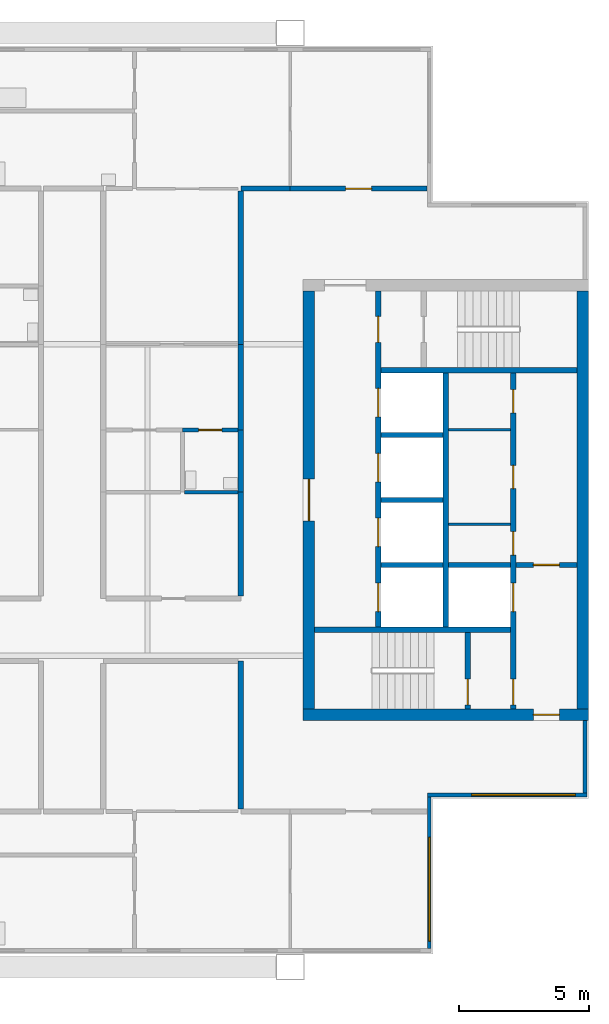
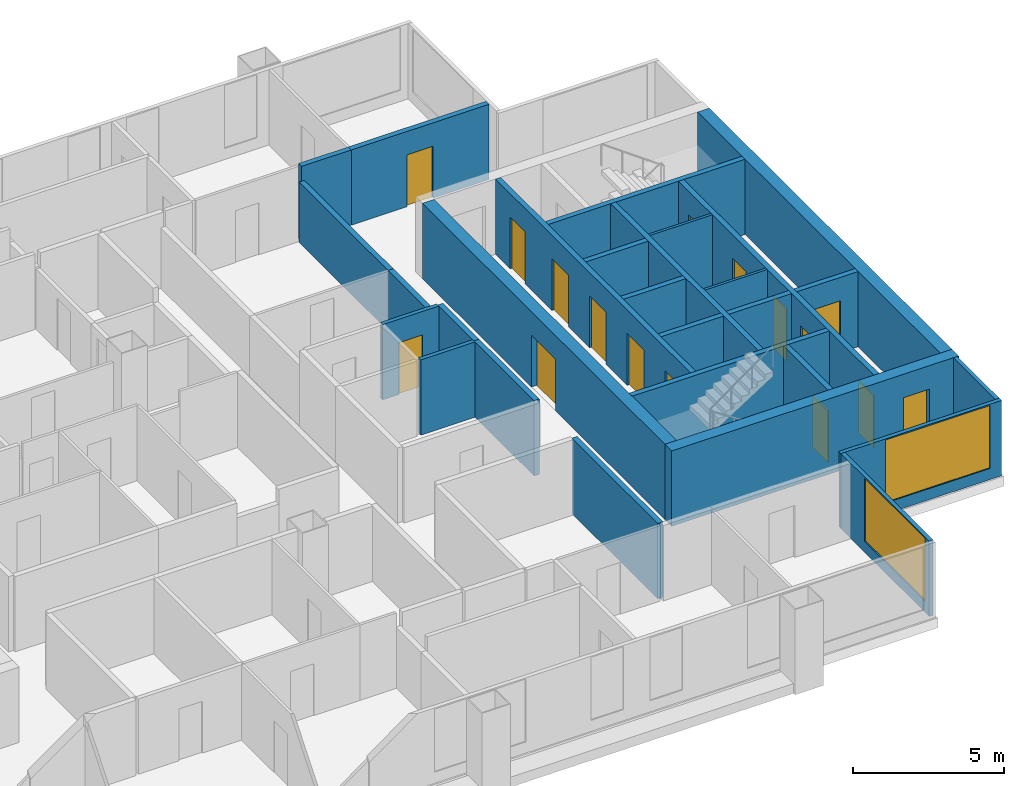
# One storey, part 5 of 9: 28 walls, 16 doors, 2 windows, 18 openings.
"""IFC4 building model written with IfcOpenShell, lengths in metres."""

from ifc_helpers import new_model, si_unit, direction, frame, frame_2d, origin, place, context, subcontext, project, spatial, rectangle, extrude, material, layer, layer_set, type_object, element, fill, save


model = new_model("IFC4")

# Units and contexts
model_context = context("Model", 3, precision=1e-05, world=origin(), true_north=direction((0.0, 1.0)))
body_context = subcontext(model_context, "Body", "Model", "MODEL_VIEW")
ifc_project = project(units=[si_unit("LENGTHUNIT", "METRE"), si_unit("AREAUNIT", "SQUARE_METRE"), si_unit("VOLUMEUNIT", "CUBIC_METRE"), si_unit("PLANEANGLEUNIT", "RADIAN"), si_unit("MASSUNIT", "GRAM", prefix="KILO")], contexts=[model_context])

# Site, building, storey
site_placement = place(None, origin())
site = spatial("IfcSite", under=ifc_project, at=site_placement, CompositionType="ELEMENT")
building_placement = place(site_placement, origin())
building = spatial("IfcBuilding", under=site, at=building_placement, Name="Kitamizu Gate Tower and Museum", CompositionType="ELEMENT")
storey_placement = place(building_placement, frame((0.0, 0.0, 221.39990234375)))
storey = spatial("IfcBuildingStorey", under=building, at=storey_placement, Name="L59", CompositionType="ELEMENT", Elevation=221.39990234375)

# Wall, opening, door
ifc_material_1 = material(Name="Concrete Fc42", Category="concrete")
ifc_layer_1 = layer(ifc_material_1, 0.449951171875)
ifc_layer_set_1 = layer_set([ifc_layer_1], Name="Concrete Fc42")
wall_type_1 = type_object("IfcWallType", Name="Core wall 450", PredefinedType="SHEAR", material=ifc_layer_set_1)
wall_1_placement = place(storey_placement, frame((59.5, 21.72509765625, 0.0), z_axis=(0.0, 0.0, 1.0), x_axis=(-1.0, 0.0, 0.0)))
wall_1 = element("IfcWall", 1, at=wall_1_placement, inside=storey, type_object=wall_type_1, Name="Core wall ES", PredefinedType="SHEAR", context=body_context, shape_type="SweptSolid", body=[
    extrude(rectangle(XDim=11.0, YDim=0.449951171875, at=frame_2d((5.5, 0.0))), origin(), (0.0, 0.0, 1.0), 3.050048828125),
])
opening_1_placement = place(wall_1_placement, frame((1.125, 0.0, 0.0)))
opening_1 = element("IfcOpeningElement", 2, at=opening_1_placement, cuts=wall_1, Name="Opening L59-050", PredefinedType="OPENING", context=body_context, shape_type="SweptSolid", body=[
    extrude(rectangle(XDim=1.0, YDim=2.10009765625, at=frame_2d((0.5, 1.050048828125))), frame((0.0, 0.23486328125, 0.0), z_axis=(0.0, -1.0, 0.0), x_axis=(1.0, 0.0, 0.0)), (0.0, 0.0, 1.0), 0.469970703125),
])
ifc_material_2 = material(Name="Hollow metal door set")
door_type_1 = type_object("IfcDoorType", Name="Fire door 1000", OperationType="NOTDEFINED", PredefinedType="DOOR", material=ifc_material_2)
door_1_placement = place(opening_1_placement, frame((1.0, 0.0, 0.0), x_axis=(-1.0, 0.0, 0.0)))
door_1 = element("IfcDoor", 3, at=door_1_placement, inside=storey, type_object=door_type_1, Name="Fire-fighting lobby door L59-050", OperationType="SINGLE_SWING_LEFT", OverallHeight=2.10009765625, OverallWidth=1.0, PredefinedType="DOOR", context=body_context, shape_type="SweptSolid", body=[
    extrude(rectangle(XDim=1.0, YDim=2.10009765625, at=frame_2d((0.5, 1.050048828125))), frame((0.0, 0.02490234375, 0.0), z_axis=(0.0, -1.0, 0.0), x_axis=(1.0, 0.0, 0.0)), (0.0, 0.0, 1.0), 0.050048828125),
])
fill(opening_1, door_1)

# Wall
wall_2_placement = place(storey_placement, frame((59.27490234375, 21.949951171875, 0.0), z_axis=(0.0, 0.0, 1.0), x_axis=(0.0, 1.0, 0.0)))
element("IfcWall", 4, at=wall_2_placement, inside=storey, type_object=wall_type_1, Name="Core wall EOUT", PredefinedType="SHEAR", context=body_context, shape_type="SweptSolid", body=[
    extrude(rectangle(XDim=16.10009765625, YDim=0.449951171875, at=frame_2d((8.050048828125, 0.0))), origin(), (0.0, 0.0, 1.0), 3.050048828125),
])

# Wall, opening, door
wall_3_placement = place(storey_placement, frame((48.72509765625, 21.949951171875, 0.0), z_axis=(0.0, 0.0, 1.0), x_axis=(0.0, 1.0, 0.0)))
wall_3 = element("IfcWall", 5, at=wall_3_placement, inside=storey, type_object=wall_type_1, Name="Core wall EARC", PredefinedType="SHEAR", context=body_context, shape_type="SweptSolid", body=[
    extrude(rectangle(XDim=16.10009765625, YDim=0.449951171875, at=frame_2d((8.050048828125, 0.0))), origin(), (0.0, 0.0, 1.0), 3.050048828125),
])
opening_2_placement = place(wall_3_placement, frame((7.25, 0.0, 0.0)))
opening_2 = element("IfcOpeningElement", 6, at=opening_2_placement, cuts=wall_3, Name="Opening L59-052", PredefinedType="OPENING", context=body_context, shape_type="SweptSolid", body=[
    extrude(rectangle(XDim=1.60009765625, YDim=2.10009765625, at=frame_2d((0.800048828125, 1.050048828125))), frame((0.0, 0.23486328125, 0.0), z_axis=(0.0, -1.0, 0.0), x_axis=(1.0, 0.0, 0.0)), (0.0, 0.0, 1.0), 0.469970703125),
])
ifc_material_3 = material(Name="Timber door set", Category="wood")
door_type_2 = type_object("IfcDoorType", Name="Entrance door 1600", OperationType="DOUBLE_DOOR_SINGLE_SWING", PredefinedType="DOOR", material=ifc_material_3)
door_2_placement = place(opening_2_placement, origin())
door_2 = element("IfcDoor", 7, at=door_2_placement, inside=storey, type_object=door_type_2, Name="Lobby door L59-052", OperationType="DOUBLE_DOOR_SINGLE_SWING", OverallHeight=2.10009765625, OverallWidth=1.60009765625, PredefinedType="DOOR", context=body_context, shape_type="SweptSolid", body=[
    extrude(rectangle(XDim=1.60009765625, YDim=2.10009765625, at=frame_2d((0.800048828125, 1.050048828125))), frame((0.0, 0.02490234375, 0.0), z_axis=(0.0, -1.0, 0.0), x_axis=(1.0, 0.0, 0.0)), (0.0, 0.0, 1.0), 0.050048828125),
])
fill(opening_2, door_2)

# Walls
ifc_material_4 = material(Name="Gypsum board on galvanised stud")
ifc_layer_2 = layer(ifc_material_4, 0.10009765625)
ifc_layer_set_2 = layer_set([ifc_layer_2], Name="Gypsum board on galvanised stud")
wall_type_2 = type_object("IfcWallType", Name="Partition 100", PredefinedType="PARTITIONING", material=ifc_layer_set_2)
for number, where, z_axis, x_axis, name in (
    (8, (56.5, 29.06005859375, 0.0), (0.0, 0.0, 1.0), (-1.0, 0.0, 0.0), "Partition EPF1"),
    (9, (56.5, 32.7099609375, 0.0), (0.0, 0.0, 1.0), (-1.0, 0.0, 0.0), "Partition EPF2"),
):
    element("IfcWall", number, at=place(storey_placement, frame(where, z_axis=z_axis, x_axis=x_axis)), inside=storey, type_object=wall_type_2, Name=name, PredefinedType="PARTITIONING", context=body_context, shape_type="SweptSolid", body=[
        extrude(rectangle(XDim=2.39990234375, YDim=0.10009765625, at=frame_2d((1.199951171875, 0.0))), origin(), (0.0, 0.0, 1.0), 3.050048828125),
    ])

# Wall, opening, door
ifc_material_5 = material(Name="Gypsum board on galvanised stud")
ifc_layer_3 = layer(ifc_material_5, 0.14990234375)
ifc_layer_set_3 = layer_set([ifc_layer_3], Name="Gypsum board on galvanised stud")
wall_type_3 = type_object("IfcWallType", Name="Partition 150", PredefinedType="PARTITIONING", material=ifc_layer_set_3)
wall_4_placement = place(storey_placement, frame((43.85009765625, 32.699951171875, 0.0), z_axis=(0.0, 0.0, 1.0), x_axis=(1.0, 0.0, 0.0)))
wall_4 = element("IfcWall", 10, at=wall_4_placement, inside=storey, type_object=wall_type_3, Name="Partition L59-083", PredefinedType="PARTITIONING", context=body_context, shape_type="SweptSolid", body=[
    extrude(rectangle(XDim=2.14990234375, YDim=0.14990234375, at=frame_2d((1.074951171875, 0.0))), origin(), (0.0, 0.0, 1.0), 3.050048828125),
])
opening_3_placement = place(wall_4_placement, frame((0.625, 0.0, 0.0)))
opening_3 = element("IfcOpeningElement", 11, at=opening_3_placement, cuts=wall_4, Name="Opening L59-031", PredefinedType="OPENING", context=body_context, shape_type="SweptSolid", body=[
    extrude(rectangle(XDim=0.89990234375, YDim=2.10009765625, at=frame_2d((0.449951171875, 1.050048828125))), frame((0.0, 0.0849609375, 0.0), z_axis=(0.0, -1.0, 0.0), x_axis=(1.0, 0.0, 0.0)), (0.0, 0.0, 1.0), 0.169921875),
])
ifc_material_6 = material(Name="Timber door set", Category="wood")
door_type_3 = type_object("IfcDoorType", Name="Bathroom door 900", OperationType="NOTDEFINED", PredefinedType="DOOR", material=ifc_material_6)
door_3_placement = place(opening_3_placement, frame((0.89990234375, 0.0, 0.0), x_axis=(-1.0, 0.0, 0.0)))
door_3 = element("IfcDoor", 12, at=door_3_placement, inside=storey, type_object=door_type_3, Name="Bathroom door L59-031", OperationType="SINGLE_SWING_RIGHT", OverallHeight=2.10009765625, OverallWidth=0.89990234375, PredefinedType="DOOR", context=body_context, shape_type="SweptSolid", body=[
    extrude(rectangle(XDim=0.89990234375, YDim=2.10009765625, at=frame_2d((0.449951171875, 1.050048828125))), frame((0.0, 0.02490234375, 0.0), z_axis=(0.0, -1.0, 0.0), x_axis=(1.0, 0.0, 0.0)), (0.0, 0.0, 1.0), 0.050048828125),
])
fill(opening_3, door_3)

# Walls
wall_5_placement = place(storey_placement, frame((43.925048828125, 30.300048828125, 0.0), z_axis=(0.0, 0.0, 1.0), x_axis=(1.0, 0.0, 0.0)))
element("IfcWall", 13, at=wall_5_placement, inside=storey, type_object=wall_type_3, Name="Partition L59-088", PredefinedType="PARTITIONING", context=body_context, shape_type="SweptSolid", body=[
    extrude(rectangle(XDim=2.074951171875, YDim=0.14990234375, at=frame_2d((1.03759765625, 0.0))), origin(), (0.0, 0.0, 1.0), 3.050048828125),
])
ifc_material_7 = material(Name="Gypsum board on galvanised stud")
ifc_layer_4 = layer(ifc_material_7, 0.199951171875)
ifc_layer_set_4 = layer_set([ifc_layer_4], Name="Gypsum board on galvanised stud")
wall_type_4 = type_object("IfcWallType", Name="Partition 200", PredefinedType="PARTITIONING", material=ifc_layer_set_4)
wall_6_placement = place(storey_placement, frame((46.10009765625, 18.10009765625, 0.0), z_axis=(0.0, 0.0, 1.0), x_axis=(0.0, 1.0, 0.0)))
element("IfcWall", 14, at=wall_6_placement, inside=storey, type_object=wall_type_4, Name="Partition L59-028", PredefinedType="PARTITIONING", context=body_context, shape_type="SweptSolid", body=[
    extrude(rectangle(XDim=5.699951171875, YDim=0.199951171875, at=frame_2d((2.85009765625, 0.0))), origin(), (0.0, 0.0, 1.0), 3.050048828125),
])
wall_7_placement = place(storey_placement, frame((46.10009765625, 42.0, 0.0), z_axis=(0.0, 0.0, 1.0), x_axis=(1.0, 0.0, 0.0)))
element("IfcWall", 15, at=wall_7_placement, inside=storey, type_object=wall_type_4, Name="Partition L59-078", PredefinedType="PARTITIONING", context=body_context, shape_type="SweptSolid", body=[
    extrude(rectangle(XDim=1.89990234375, YDim=0.199951171875, at=frame_2d((0.949951171875, 0.0))), origin(), (0.0, 0.0, 1.0), 3.050048828125),
])

# Wall, opening, door
wall_8_placement = place(storey_placement, frame((48.0, 42.0, 0.0), z_axis=(0.0, 0.0, 1.0), x_axis=(1.0, 0.0, 0.0)))
wall_8 = element("IfcWall", 16, at=wall_8_placement, inside=storey, type_object=wall_type_4, Name="Partition L59-079", PredefinedType="PARTITIONING", context=body_context, shape_type="SweptSolid", body=[
    extrude(rectangle(XDim=5.280029296875, YDim=0.199951171875, at=frame_2d((2.64013671875, 0.0))), origin(), (0.0, 0.0, 1.0), 3.050048828125),
])
opening_4_placement = place(wall_8_placement, frame((2.139892578125, 0.0, 0.0)))
opening_4 = element("IfcOpeningElement", 17, at=opening_4_placement, cuts=wall_8, Name="Opening L59-025", PredefinedType="OPENING", context=body_context, shape_type="SweptSolid", body=[
    extrude(rectangle(XDim=1.0, YDim=2.10009765625, at=frame_2d((0.5, 1.050048828125))), frame((0.0, 0.10986328125, 0.0), z_axis=(0.0, -1.0, 0.0), x_axis=(1.0, 0.0, 0.0)), (0.0, 0.0, 1.0), 0.219970703125),
])
ifc_material_8 = material(Name="Timber door set", Category="wood")
door_type_4 = type_object("IfcDoorType", Name="Flat entrance door 1000", OperationType="NOTDEFINED", PredefinedType="DOOR", material=ifc_material_8)
door_4_placement = place(opening_4_placement, origin())
door_4 = element("IfcDoor", 18, at=door_4_placement, inside=storey, type_object=door_type_4, Name="Flat entrance door L59-025", OperationType="SINGLE_SWING_LEFT", OverallHeight=2.10009765625, OverallWidth=1.0, PredefinedType="DOOR", context=body_context, shape_type="SweptSolid", body=[
    extrude(rectangle(XDim=1.0, YDim=2.10009765625, at=frame_2d((0.5, 1.050048828125))), frame((0.0, 0.02490234375, 0.0), z_axis=(0.0, -1.0, 0.0), x_axis=(1.0, 0.0, 0.0)), (0.0, 0.0, 1.0), 0.050048828125),
])
fill(opening_4, door_4)

# Walls
wall_9_placement = place(storey_placement, frame((46.10009765625, 36.0, 0.0), z_axis=(0.0, 0.0, 1.0), x_axis=(0.0, 1.0, 0.0)))
element("IfcWall", 19, at=wall_9_placement, inside=storey, type_object=wall_type_4, Name="Partition L59-082", PredefinedType="PARTITIONING", context=body_context, shape_type="SweptSolid", body=[
    extrude(rectangle(XDim=5.89990234375, YDim=0.199951171875, at=frame_2d((2.949951171875, 0.0))), origin(), (0.0, 0.0, 1.0), 2.4501953125),
])
wall_10_placement = place(storey_placement, frame((46.10009765625, 32.699951171875, 0.0), z_axis=(0.0, 0.0, 1.0), x_axis=(0.0, 1.0, 0.0)))
element("IfcWall", 20, at=wall_10_placement, inside=storey, type_object=wall_type_4, Name="Partition L59-086", PredefinedType="PARTITIONING", context=body_context, shape_type="SweptSolid", body=[
    extrude(rectangle(XDim=3.300048828125, YDim=0.199951171875, at=frame_2d((1.64990234375, 0.0))), origin(), (0.0, 0.0, 1.0), 2.4501953125),
])
wall_11_placement = place(storey_placement, frame((46.10009765625, 30.300048828125, 0.0), z_axis=(0.0, 0.0, 1.0), x_axis=(0.0, 1.0, 0.0)))
element("IfcWall", 21, at=wall_11_placement, inside=storey, type_object=wall_type_4, Name="Partition L59-089", PredefinedType="PARTITIONING", context=body_context, shape_type="SweptSolid", body=[
    extrude(rectangle(XDim=2.39990234375, YDim=0.199951171875, at=frame_2d((1.199951171875, 0.0))), origin(), (0.0, 0.0, 1.0), 3.050048828125),
])
wall_12_placement = place(storey_placement, frame((46.10009765625, 26.300048828125, 0.0), z_axis=(0.0, 0.0, 1.0), x_axis=(0.0, 1.0, 0.0)))
element("IfcWall", 22, at=wall_12_placement, inside=storey, type_object=wall_type_4, Name="Partition L59-094", PredefinedType="PARTITIONING", context=body_context, shape_type="SweptSolid", body=[
    extrude(rectangle(XDim=4.0, YDim=0.199951171875, at=frame_2d((2.0, 0.0))), origin(), (0.0, 0.0, 1.0), 3.050048828125),
])

# Wall, openings, doors
ifc_material_9 = material(Name="Concrete Fc42", Category="concrete")
ifc_layer_5 = layer(ifc_material_9, 0.199951171875)
ifc_layer_set_5 = layer_set([ifc_layer_5], Name="Concrete Fc42")
wall_type_5 = type_object("IfcWallType", Name="Shaft wall 200", PredefinedType="SOLIDWALL", material=ifc_layer_set_5)
wall_13_placement = place(storey_placement, frame((56.60009765625, 21.949951171875, 0.0), z_axis=(0.0, 0.0, 1.0), x_axis=(0.0, 1.0, 0.0)))
wall_13 = element("IfcWall", 23, at=wall_13_placement, inside=storey, type_object=wall_type_5, Name="Shaft wall EWEST", PredefinedType="SOLIDWALL", context=body_context, shape_type="SweptSolid", body=[
    extrude(rectangle(XDim=12.949951171875, YDim=0.199951171875, at=frame_2d((6.47509765625, 0.0))), origin(), (0.0, 0.0, 1.0), 3.050048828125),
])
opening_5_placement = place(wall_13_placement, frame((3.75, 0.0, 0.0)))
opening_5 = element("IfcOpeningElement", 24, at=opening_5_placement, cuts=wall_13, Name="Opening LD", PredefinedType="OPENING", context=body_context, shape_type="SweptSolid", body=[
    extrude(rectangle(XDim=1.10009765625, YDim=2.10009765625, at=frame_2d((0.550048828125, 1.050048828125))), frame((0.0, 0.10986328125, 0.0), z_axis=(0.0, -1.0, 0.0), x_axis=(1.0, 0.0, 0.0)), (0.0, 0.0, 1.0), 0.219970703125),
])
opening_6_placement = place(wall_13_placement, frame((0.14990234375, 0.0, 0.0)))
opening_6 = element("IfcOpeningElement", 25, at=opening_6_placement, cuts=wall_13, Name="Opening L59-046", PredefinedType="OPENING", context=body_context, shape_type="SweptSolid", body=[
    extrude(rectangle(XDim=1.0, YDim=2.10009765625, at=frame_2d((0.5, 1.050048828125))), frame((0.0, 0.10986328125, 0.0), z_axis=(0.0, -1.0, 0.0), x_axis=(1.0, 0.0, 0.0)), (0.0, 0.0, 1.0), 0.219970703125),
])
opening_7_placement = place(wall_13_placement, frame((5.929931640625, 0.0, 0.0)))
opening_7 = element("IfcOpeningElement", 26, at=opening_7_placement, cuts=wall_13, Name="Opening L59-053", PredefinedType="OPENING", context=body_context, shape_type="SweptSolid", body=[
    extrude(rectangle(XDim=0.89990234375, YDim=2.10009765625, at=frame_2d((0.449951171875, 1.050048828125))), frame((0.0, 0.10986328125, 0.0), z_axis=(0.0, -1.0, 0.0), x_axis=(1.0, 0.0, 0.0)), (0.0, 0.0, 1.0), 0.219970703125),
])
opening_8_placement = place(wall_13_placement, frame((8.485107421875, 0.0, 0.0)))
opening_8 = element("IfcOpeningElement", 27, at=opening_8_placement, cuts=wall_13, Name="Opening L59-054", PredefinedType="OPENING", context=body_context, shape_type="SweptSolid", body=[
    extrude(rectangle(XDim=0.89990234375, YDim=2.10009765625, at=frame_2d((0.449951171875, 1.050048828125))), frame((0.0, 0.10986328125, 0.0), z_axis=(0.0, -1.0, 0.0), x_axis=(1.0, 0.0, 0.0)), (0.0, 0.0, 1.0), 0.219970703125),
])
opening_9_placement = place(wall_13_placement, frame((11.405029296875, 0.0, 0.0)))
opening_9 = element("IfcOpeningElement", 28, at=opening_9_placement, cuts=wall_13, Name="Opening L59-055", PredefinedType="OPENING", context=body_context, shape_type="SweptSolid", body=[
    extrude(rectangle(XDim=0.89990234375, YDim=2.10009765625, at=frame_2d((0.449951171875, 1.050048828125))), frame((0.0, 0.10986328125, 0.0), z_axis=(0.0, -1.0, 0.0), x_axis=(1.0, 0.0, 0.0)), (0.0, 0.0, 1.0), 0.219970703125),
])
door_5_placement = place(opening_6_placement, origin())
door_5 = element("IfcDoor", 29, at=door_5_placement, inside=storey, type_object=door_type_1, Name="Stair lobby door L59-046", OperationType="SINGLE_SWING_RIGHT", OverallHeight=2.10009765625, OverallWidth=1.0, PredefinedType="DOOR", context=body_context, shape_type="SweptSolid", body=[
    extrude(rectangle(XDim=1.0, YDim=2.10009765625, at=frame_2d((0.5, 1.050048828125))), frame((0.0, 0.02490234375, 0.0), z_axis=(0.0, -1.0, 0.0), x_axis=(1.0, 0.0, 0.0)), (0.0, 0.0, 1.0), 0.050048828125),
])
fill(opening_6, door_5)
ifc_material_10 = material(Name="Hollow metal door set")
door_type_5 = type_object("IfcDoorType", Name="Landing door 1100", OperationType="SLIDING_TO_LEFT", PredefinedType="DOOR", material=ifc_material_10)
door_6_placement = place(opening_5_placement, origin())
door_6 = element("IfcDoor", 30, at=door_6_placement, inside=storey, type_object=door_type_5, Name="Landing door EFF1", OperationType="SLIDING_TO_LEFT", OverallHeight=2.10009765625, OverallWidth=1.10009765625, PredefinedType="DOOR", context=body_context, shape_type="SweptSolid", body=[
    extrude(rectangle(XDim=1.10009765625, YDim=2.10009765625, at=frame_2d((0.550048828125, 1.050048828125))), frame((0.0, 0.02490234375, 0.0), z_axis=(0.0, -1.0, 0.0), x_axis=(1.0, 0.0, 0.0)), (0.0, 0.0, 1.0), 0.050048828125),
])
fill(opening_5, door_6)
ifc_material_11 = material(Name="Timber door set", Category="wood")
door_type_6 = type_object("IfcDoorType", Name="Service door 900", OperationType="NOTDEFINED", PredefinedType="DOOR", material=ifc_material_11)
door_7_placement = place(opening_7_placement, origin())
door_7 = element("IfcDoor", 31, at=door_7_placement, inside=storey, type_object=door_type_6, Name="Service door L59-053", OperationType="SINGLE_SWING_LEFT", OverallHeight=2.10009765625, OverallWidth=0.89990234375, PredefinedType="DOOR", context=body_context, shape_type="SweptSolid", body=[
    extrude(rectangle(XDim=0.89990234375, YDim=2.10009765625, at=frame_2d((0.449951171875, 1.050048828125))), frame((0.0, 0.02490234375, 0.0), z_axis=(0.0, -1.0, 0.0), x_axis=(1.0, 0.0, 0.0)), (0.0, 0.0, 1.0), 0.050048828125),
])
fill(opening_7, door_7)
door_8_placement = place(opening_8_placement, origin())
door_8 = element("IfcDoor", 32, at=door_8_placement, inside=storey, type_object=door_type_6, Name="Service door L59-054", OperationType="SINGLE_SWING_RIGHT", OverallHeight=2.10009765625, OverallWidth=0.89990234375, PredefinedType="DOOR", context=body_context, shape_type="SweptSolid", body=[
    extrude(rectangle(XDim=0.89990234375, YDim=2.10009765625, at=frame_2d((0.449951171875, 1.050048828125))), frame((0.0, 0.02490234375, 0.0), z_axis=(0.0, -1.0, 0.0), x_axis=(1.0, 0.0, 0.0)), (0.0, 0.0, 1.0), 0.050048828125),
])
fill(opening_8, door_8)
door_9_placement = place(opening_9_placement, origin())
door_9 = element("IfcDoor", 33, at=door_9_placement, inside=storey, type_object=door_type_6, Name="Service door L59-055", OperationType="SINGLE_SWING_LEFT", OverallHeight=2.10009765625, OverallWidth=0.89990234375, PredefinedType="DOOR", context=body_context, shape_type="SweptSolid", body=[
    extrude(rectangle(XDim=0.89990234375, YDim=2.10009765625, at=frame_2d((0.449951171875, 1.050048828125))), frame((0.0, 0.02490234375, 0.0), z_axis=(0.0, -1.0, 0.0), x_axis=(1.0, 0.0, 0.0)), (0.0, 0.0, 1.0), 0.050048828125),
])
fill(opening_9, door_9)

wall_14_placement = place(storey_placement, frame((51.39990234375, 25.10009765625, 0.0), z_axis=(0.0, 0.0, 1.0), x_axis=(0.0, 1.0, 0.0)))
wall_14 = element("IfcWall", 34, at=wall_14_placement, inside=storey, type_object=wall_type_5, Name="Shaft wall EEAST", PredefinedType="SOLIDWALL", context=body_context, shape_type="SweptSolid", body=[
    extrude(rectangle(XDim=12.949951171875, YDim=0.199951171875, at=frame_2d((6.47509765625, 0.0))), origin(), (0.0, 0.0, 1.0), 3.050048828125),
])
opening_10_placement = place(wall_14_placement, frame((0.60009765625, 0.0, 0.0)))
opening_10 = element("IfcOpeningElement", 35, at=opening_10_placement, cuts=wall_14, Name="Opening LD", PredefinedType="OPENING", context=body_context, shape_type="SweptSolid", body=[
    extrude(rectangle(XDim=1.10009765625, YDim=2.10009765625, at=frame_2d((0.550048828125, 1.050048828125))), frame((0.0, 0.10986328125, 0.0), z_axis=(0.0, -1.0, 0.0), x_axis=(1.0, 0.0, 0.0)), (0.0, 0.0, 1.0), 0.219970703125),
])
opening_11_placement = place(wall_14_placement, frame((3.10009765625, 0.0, 0.0)))
opening_11 = element("IfcOpeningElement", 36, at=opening_11_placement, cuts=wall_14, Name="Opening LD", PredefinedType="OPENING", context=body_context, shape_type="SweptSolid", body=[
    extrude(rectangle(XDim=1.10009765625, YDim=2.10009765625, at=frame_2d((0.550048828125, 1.050048828125))), frame((0.0, 0.10986328125, 0.0), z_axis=(0.0, -1.0, 0.0), x_axis=(1.0, 0.0, 0.0)), (0.0, 0.0, 1.0), 0.219970703125),
])
opening_12_placement = place(wall_14_placement, frame((5.60009765625, 0.0, 0.0)))
opening_12 = element("IfcOpeningElement", 37, at=opening_12_placement, cuts=wall_14, Name="Opening LD", PredefinedType="OPENING", context=body_context, shape_type="SweptSolid", body=[
    extrude(rectangle(XDim=1.10009765625, YDim=2.10009765625, at=frame_2d((0.550048828125, 1.050048828125))), frame((0.0, 0.10986328125, 0.0), z_axis=(0.0, -1.0, 0.0), x_axis=(1.0, 0.0, 0.0)), (0.0, 0.0, 1.0), 0.219970703125),
])
opening_13_placement = place(wall_14_placement, frame((8.10009765625, 0.0, 0.0)))
opening_13 = element("IfcOpeningElement", 38, at=opening_13_placement, cuts=wall_14, Name="Opening LD", PredefinedType="OPENING", context=body_context, shape_type="SweptSolid", body=[
    extrude(rectangle(XDim=1.10009765625, YDim=2.10009765625, at=frame_2d((0.550048828125, 1.050048828125))), frame((0.0, 0.10986328125, 0.0), z_axis=(0.0, -1.0, 0.0), x_axis=(1.0, 0.0, 0.0)), (0.0, 0.0, 1.0), 0.219970703125),
])
opening_14_placement = place(wall_14_placement, frame((10.97509765625, 0.0, 0.0)))
opening_14 = element("IfcOpeningElement", 39, at=opening_14_placement, cuts=wall_14, Name="Opening L59-047", PredefinedType="OPENING", context=body_context, shape_type="SweptSolid", body=[
    extrude(rectangle(XDim=1.0, YDim=2.10009765625, at=frame_2d((0.5, 1.050048828125))), frame((0.0, 0.10986328125, 0.0), z_axis=(0.0, -1.0, 0.0), x_axis=(1.0, 0.0, 0.0)), (0.0, 0.0, 1.0), 0.219970703125),
])
door_10_placement = place(opening_14_placement, frame((1.0, 0.0, 0.0), x_axis=(-1.0, 0.0, 0.0)))
door_10 = element("IfcDoor", 40, at=door_10_placement, inside=storey, type_object=door_type_1, Name="Stair lobby door L59-047", OperationType="SINGLE_SWING_RIGHT", OverallHeight=2.10009765625, OverallWidth=1.0, PredefinedType="DOOR", context=body_context, shape_type="SweptSolid", body=[
    extrude(rectangle(XDim=1.0, YDim=2.10009765625, at=frame_2d((0.5, 1.050048828125))), frame((0.0, 0.02490234375, 0.0), z_axis=(0.0, -1.0, 0.0), x_axis=(1.0, 0.0, 0.0)), (0.0, 0.0, 1.0), 0.050048828125),
])
fill(opening_14, door_10)
door_11_placement = place(opening_10_placement, origin())
door_11 = element("IfcDoor", 41, at=door_11_placement, inside=storey, type_object=door_type_5, Name="Landing door ESV1", OperationType="SLIDING_TO_LEFT", OverallHeight=2.10009765625, OverallWidth=1.10009765625, PredefinedType="DOOR", context=body_context, shape_type="SweptSolid", body=[
    extrude(rectangle(XDim=1.10009765625, YDim=2.10009765625, at=frame_2d((0.550048828125, 1.050048828125))), frame((0.0, 0.02490234375, 0.0), z_axis=(0.0, -1.0, 0.0), x_axis=(1.0, 0.0, 0.0)), (0.0, 0.0, 1.0), 0.050048828125),
])
fill(opening_10, door_11)
door_12_placement = place(opening_11_placement, origin())
door_12 = element("IfcDoor", 42, at=door_12_placement, inside=storey, type_object=door_type_5, Name="Landing door EH1", OperationType="SLIDING_TO_LEFT", OverallHeight=2.10009765625, OverallWidth=1.10009765625, PredefinedType="DOOR", context=body_context, shape_type="SweptSolid", body=[
    extrude(rectangle(XDim=1.10009765625, YDim=2.10009765625, at=frame_2d((0.550048828125, 1.050048828125))), frame((0.0, 0.02490234375, 0.0), z_axis=(0.0, -1.0, 0.0), x_axis=(1.0, 0.0, 0.0)), (0.0, 0.0, 1.0), 0.050048828125),
])
fill(opening_11, door_12)
door_13_placement = place(opening_12_placement, origin())
door_13 = element("IfcDoor", 43, at=door_13_placement, inside=storey, type_object=door_type_5, Name="Landing door EH2", OperationType="SLIDING_TO_LEFT", OverallHeight=2.10009765625, OverallWidth=1.10009765625, PredefinedType="DOOR", context=body_context, shape_type="SweptSolid", body=[
    extrude(rectangle(XDim=1.10009765625, YDim=2.10009765625, at=frame_2d((0.550048828125, 1.050048828125))), frame((0.0, 0.02490234375, 0.0), z_axis=(0.0, -1.0, 0.0), x_axis=(1.0, 0.0, 0.0)), (0.0, 0.0, 1.0), 0.050048828125),
])
fill(opening_12, door_13)
door_14_placement = place(opening_13_placement, origin())
door_14 = element("IfcDoor", 44, at=door_14_placement, inside=storey, type_object=door_type_5, Name="Landing door EH3", OperationType="SLIDING_TO_LEFT", OverallHeight=2.10009765625, OverallWidth=1.10009765625, PredefinedType="DOOR", context=body_context, shape_type="SweptSolid", body=[
    extrude(rectangle(XDim=1.10009765625, YDim=2.10009765625, at=frame_2d((0.550048828125, 1.050048828125))), frame((0.0, 0.02490234375, 0.0), z_axis=(0.0, -1.0, 0.0), x_axis=(1.0, 0.0, 0.0)), (0.0, 0.0, 1.0), 0.050048828125),
])
fill(opening_13, door_14)

# Walls
wall_15_placement = place(storey_placement, frame((54.0, 25.10009765625, 0.0), z_axis=(0.0, 0.0, 1.0), x_axis=(0.0, 1.0, 0.0)))
element("IfcWall", 45, at=wall_15_placement, inside=storey, type_object=wall_type_5, Name="Shaft wall EMID", PredefinedType="SOLIDWALL", context=body_context, shape_type="SweptSolid", body=[
    extrude(rectangle(XDim=9.7998046875, YDim=0.199951171875, at=frame_2d((4.89990234375, 0.0))), origin(), (0.0, 0.0, 1.0), 3.050048828125),
])
for number, where, z_axis, x_axis, name in (
    (46, (56.5, 25.0, 0.0), (0.0, 0.0, 1.0), (-1.0, 0.0, 0.0), "Shaft wall ESB"),
    (47, (59.050048828125, 35.0, 0.0), (0.0, 0.0, 1.0), (-1.0, 0.0, 0.0), "Shaft wall ENB"),
):
    element("IfcWall", number, at=place(storey_placement, frame(where, z_axis=z_axis, x_axis=x_axis)), inside=storey, type_object=wall_type_5, Name=name, PredefinedType="SOLIDWALL", context=body_context, shape_type="SweptSolid", body=[
        extrude(rectangle(XDim=7.550048828125, YDim=0.199951171875, at=frame_2d((3.77490234375, 0.0))), origin(), (0.0, 0.0, 1.0), 3.050048828125),
    ])

# Wall, opening, door
wall_16_placement = place(storey_placement, frame((59.050048828125, 27.5, 0.0), z_axis=(0.0, 0.0, 1.0), x_axis=(-1.0, 0.0, 0.0)))
wall_16 = element("IfcWall", 48, at=wall_16_placement, inside=storey, type_object=wall_type_5, Name="Shaft wall EFFN", PredefinedType="SOLIDWALL", context=body_context, shape_type="SweptSolid", body=[
    extrude(rectangle(XDim=2.35009765625, YDim=0.199951171875, at=frame_2d((1.175048828125, 0.0))), origin(), (0.0, 0.0, 1.0), 3.050048828125),
])
opening_15_placement = place(wall_16_placement, frame((0.675048828125, 0.0, 0.0)))
opening_15 = element("IfcOpeningElement", 49, at=opening_15_placement, cuts=wall_16, Name="Opening L59-049", PredefinedType="OPENING", context=body_context, shape_type="SweptSolid", body=[
    extrude(rectangle(XDim=1.0, YDim=2.10009765625, at=frame_2d((0.5, 1.050048828125))), frame((0.0, 0.10986328125, 0.0), z_axis=(0.0, -1.0, 0.0), x_axis=(1.0, 0.0, 0.0)), (0.0, 0.0, 1.0), 0.219970703125),
])
door_15_placement = place(opening_15_placement, origin())
door_15 = element("IfcDoor", 50, at=door_15_placement, inside=storey, type_object=door_type_1, Name="Fire-fighting lobby door L59-049", OperationType="SINGLE_SWING_LEFT", OverallHeight=2.10009765625, OverallWidth=1.0, PredefinedType="DOOR", context=body_context, shape_type="SweptSolid", body=[
    extrude(rectangle(XDim=1.0, YDim=2.10009765625, at=frame_2d((0.5, 1.050048828125))), frame((0.0, 0.02490234375, 0.0), z_axis=(0.0, -1.0, 0.0), x_axis=(1.0, 0.0, 0.0)), (0.0, 0.0, 1.0), 0.050048828125),
])
fill(opening_15, door_15)

wall_17_placement = place(storey_placement, frame((54.85009765625, 21.949951171875, 0.0), z_axis=(0.0, 0.0, 1.0), x_axis=(0.0, 1.0, 0.0)))
wall_17 = element("IfcWall", 51, at=wall_17_placement, inside=storey, type_object=wall_type_5, Name="Shaft wall ESZ", PredefinedType="SOLIDWALL", context=body_context, shape_type="SweptSolid", body=[
    extrude(rectangle(XDim=2.949951171875, YDim=0.199951171875, at=frame_2d((1.47509765625, 0.0))), origin(), (0.0, 0.0, 1.0), 3.050048828125),
])
opening_16_placement = place(wall_17_placement, frame((0.14990234375, 0.0, 0.0)))
opening_16 = element("IfcOpeningElement", 52, at=opening_16_placement, cuts=wall_17, Name="Opening L59-045", PredefinedType="OPENING", context=body_context, shape_type="SweptSolid", body=[
    extrude(rectangle(XDim=1.0, YDim=2.10009765625, at=frame_2d((0.5, 1.050048828125))), frame((0.0, 0.10986328125, 0.0), z_axis=(0.0, -1.0, 0.0), x_axis=(1.0, 0.0, 0.0)), (0.0, 0.0, 1.0), 0.219970703125),
])
door_16_placement = place(opening_16_placement, origin())
door_16 = element("IfcDoor", 53, at=door_16_placement, inside=storey, type_object=door_type_1, Name="Stair door L59-045", OperationType="SINGLE_SWING_RIGHT", OverallHeight=2.10009765625, OverallWidth=1.0, PredefinedType="DOOR", context=body_context, shape_type="SweptSolid", body=[
    extrude(rectangle(XDim=1.0, YDim=2.10009765625, at=frame_2d((0.5, 1.050048828125))), frame((0.0, 0.02490234375, 0.0), z_axis=(0.0, -1.0, 0.0), x_axis=(1.0, 0.0, 0.0)), (0.0, 0.0, 1.0), 0.050048828125),
])
fill(opening_16, door_16)

# Walls
for number, where, z_axis, x_axis, name in (
    (54, (56.5, 27.5, 0.0), (0.0, 0.0, 1.0), (-1.0, 0.0, 0.0), "Shaft wall EDVW0"),
    (55, (53.89990234375, 27.5, 0.0), (0.0, 0.0, 1.0), (-1.0, 0.0, 0.0), "Shaft wall EDVE0"),
    (56, (53.89990234375, 30.0, 0.0), (0.0, 0.0, 1.0), (-1.0, 0.0, 0.0), "Shaft wall EDVE1"),
    (57, (53.89990234375, 32.5, 0.0), (0.0, 0.0, 1.0), (-1.0, 0.0, 0.0), "Shaft wall EDVE2"),
):
    element("IfcWall", number, at=place(storey_placement, frame(where, z_axis=z_axis, x_axis=x_axis)), inside=storey, type_object=wall_type_5, Name=name, PredefinedType="SOLIDWALL", context=body_context, shape_type="SweptSolid", body=[
        extrude(rectangle(XDim=2.39990234375, YDim=0.199951171875, at=frame_2d((1.199951171875, 0.0))), origin(), (0.0, 0.0, 1.0), 3.050048828125),
    ])

# Wall, opening, window
ifc_material_12 = material(Name="Bronze anodised aluminium frame with insulated spandrel and tinted glass", Category="aluminium")
ifc_layer_6 = layer(ifc_material_12, 0.14990234375)
ifc_layer_set_6 = layer_set([ifc_layer_6], Name="Bronze anodised aluminium frame with insulated spandrel and tinted glass")
wall_type_6 = type_object("IfcWallType", Name="WINDOW WALL 150 BRONZE FRAME EI 30", PredefinedType="ELEMENTEDWALL", material=ifc_layer_set_6)
wall_18_placement = place(storey_placement, frame((53.364990234375, 12.7099609375, 0.0), z_axis=(0.0, 0.0, 1.0), x_axis=(0.0, 1.0, 0.0)))
wall_18 = element("IfcWall", 58, at=wall_18_placement, inside=storey, type_object=wall_type_6, Name="Window wall east L59", PredefinedType="ELEMENTEDWALL", context=body_context, shape_type="SweptSolid", body=[
    extrude(rectangle(XDim=5.85009765625, YDim=0.14990234375, at=frame_2d((2.925048828125, 0.0))), origin(), (0.0, 0.0, 1.0), 3.050048828125),
])
opening_17_placement = place(wall_18_placement, frame((0.2900390625, 0.0, 0.449951171875)))
opening_17 = element("IfcOpeningElement", 59, at=opening_17_placement, cuts=wall_18, Name="Opening W16", PredefinedType="OPENING", context=body_context, shape_type="SweptSolid", body=[
    extrude(rectangle(XDim=4.0, YDim=2.550048828125, at=frame_2d((2.0, 1.27490234375))), frame((0.0, 0.0849609375, 0.0), z_axis=(0.0, -1.0, 0.0), x_axis=(1.0, 0.0, 0.0)), (0.0, 0.0, 1.0), 0.169921875),
])
ifc_material_13 = material(Name="Bronze anodised aluminium frame, tinted triple glazing", Category="aluminium")
window_type = type_object("IfcWindowType", Name="WINDOW 4000 x 2550 SILL 450", PartitioningType="SINGLE_PANEL", PredefinedType="WINDOW", material=ifc_material_13)
window_1_placement = place(opening_17_placement, origin())
window_1 = element("IfcWindow", 60, at=window_1_placement, inside=storey, type_object=window_type, Name="Window W16 L59", OverallHeight=2.550048828125, OverallWidth=4.0, PartitioningType="SINGLE_PANEL", PredefinedType="WINDOW", context=body_context, shape_type="SweptSolid", body=[
    extrude(rectangle(XDim=4.0, YDim=2.550048828125, at=frame_2d((2.0, 1.27490234375))), frame((0.0, 0.030029296875, 0.0), z_axis=(0.0, -1.0, 0.0), x_axis=(1.0, 0.0, 0.0)), (0.0, 0.0, 1.0), 0.06005859375),
])
fill(opening_17, window_1)

wall_19_placement = place(storey_placement, frame((53.2900390625, 18.635009765625, 0.0), z_axis=(0.0, 0.0, 1.0), x_axis=(1.0, 0.0, 0.0)))
wall_19 = element("IfcWall", 61, at=wall_19_placement, inside=storey, type_object=wall_type_6, Name="Window wall south L59", PredefinedType="ELEMENTEDWALL", context=body_context, shape_type="SweptSolid", body=[
    extrude(rectangle(XDim=6.14990234375, YDim=0.14990234375, at=frame_2d((3.074951171875, 0.0))), origin(), (0.0, 0.0, 1.0), 3.050048828125),
])
opening_18_placement = place(wall_19_placement, frame((1.7099609375, 0.0, 0.449951171875)))
opening_18 = element("IfcOpeningElement", 62, at=opening_18_placement, cuts=wall_19, Name="Opening W16", PredefinedType="OPENING", context=body_context, shape_type="SweptSolid", body=[
    extrude(rectangle(XDim=4.0, YDim=2.550048828125, at=frame_2d((2.0, 1.27490234375))), frame((0.0, 0.0849609375, 0.0), z_axis=(0.0, -1.0, 0.0), x_axis=(1.0, 0.0, 0.0)), (0.0, 0.0, 1.0), 0.169921875),
])
window_2_placement = place(opening_18_placement, origin())
window_2 = element("IfcWindow", 63, at=window_2_placement, inside=storey, type_object=window_type, Name="Window W16 L59", OverallHeight=2.550048828125, OverallWidth=4.0, PartitioningType="SINGLE_PANEL", PredefinedType="WINDOW", context=body_context, shape_type="SweptSolid", body=[
    extrude(rectangle(XDim=4.0, YDim=2.550048828125, at=frame_2d((2.0, 1.27490234375))), frame((0.0, 0.030029296875, 0.0), z_axis=(0.0, -1.0, 0.0), x_axis=(1.0, 0.0, 0.0)), (0.0, 0.0, 1.0), 0.06005859375),
])
fill(opening_18, window_2)

# Wall
wall_20_placement = place(storey_placement, frame((59.364990234375, 18.7099609375, 0.0), z_axis=(0.0, 0.0, 1.0), x_axis=(0.0, 1.0, 0.0)))
element("IfcWall", 64, at=wall_20_placement, inside=storey, type_object=wall_type_6, Name="Window wall east L59", PredefinedType="ELEMENTEDWALL", context=body_context, shape_type="SweptSolid", body=[
    extrude(rectangle(XDim=2.7900390625, YDim=0.14990234375, at=frame_2d((1.39501953125, 0.0))), origin(), (0.0, 0.0, 1.0), 3.050048828125),
])

save(model, "model.ifc")
